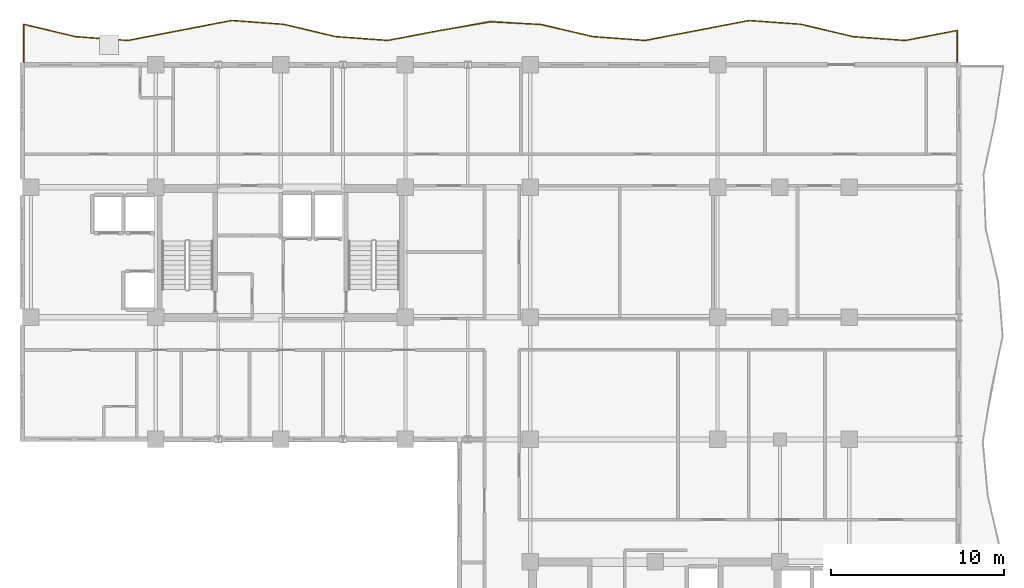
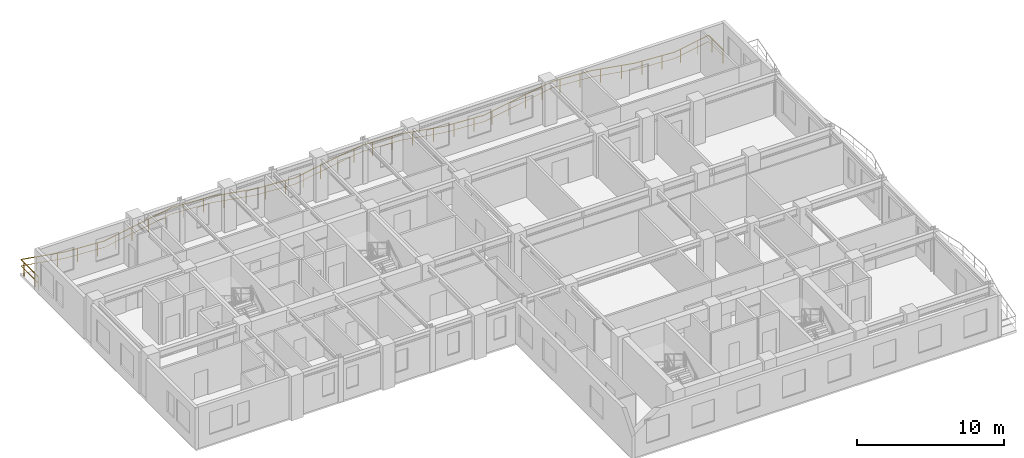
# One storey, part 13 of 13: 1 railing.
"""IFC4 building model written with IfcOpenShell, lengths in metres."""

from ifc_helpers import new_model, si_unit, direction, frame, origin, origin_2d, place, context, subcontext, project, spatial, rectangle, extrude, material, type_object, element, save


model = new_model("IFC4")

# Units and contexts
model_context = context("Model", 3, precision=1e-05, world=origin(), true_north=direction((0.0, 1.0)))
body_context = subcontext(model_context, "Body", "Model", "MODEL_VIEW")
ifc_project = project(units=[si_unit("LENGTHUNIT", "METRE"), si_unit("AREAUNIT", "SQUARE_METRE"), si_unit("VOLUMEUNIT", "CUBIC_METRE"), si_unit("PLANEANGLEUNIT", "RADIAN"), si_unit("MASSUNIT", "GRAM", prefix="KILO")], contexts=[model_context])

# Site, building, storey
site_placement = place(None, origin())
site = spatial("IfcSite", under=ifc_project, at=site_placement, CompositionType="ELEMENT")
building_placement = place(site_placement, origin())
building = spatial("IfcBuilding", under=site, at=building_placement, Name="Kaliganga Portal Commons", CompositionType="ELEMENT")
storey_placement = place(building_placement, frame((0.0, 0.0, 209.199951171875)))
storey = spatial("IfcBuildingStorey", under=building, at=storey_placement, Name="L53", CompositionType="ELEMENT", Elevation=209.199951171875)

# Railing
ifc_material = material(Name="Laminated Safety Glass and Stainless Steel 316", Category="steel")
railing_type = type_object("IfcRailingType", Name="RLG-BAL-1150", PredefinedType="BALUSTRADE", material=ifc_material)
railing_placement = place(storey_placement, frame((60.6201171875, 43.205078125, 0.0)))
element("IfcRailing", 1, at=railing_placement, inside=storey, type_object=railing_type, Name="Balcony Guardrail L53 balc_north", PredefinedType="BALUSTRADE", context=body_context, shape_type="SweptSolid", body=[
    extrude(rectangle(XDim=0.048095703125, YDim=0.048095703125, at=origin_2d()), frame((0.0, 0.0, 1.1259765625), z_axis=(0.0, 1.0, 0.0), x_axis=(-1.0, 0.0, 0.0)), (0.0, 0.0, 1.0), 1.9853515625),
    extrude(rectangle(XDim=0.028076171875, YDim=0.028076171875, at=origin_2d()), frame((0.0, 0.0, 0.597900390625), z_axis=(0.0, 1.0, 0.0), x_axis=(-1.0, 0.0, 0.0)), (0.0, 0.0, 1.0), 1.9853515625),
    extrude(rectangle(XDim=0.048095703125, YDim=0.048095703125, at=origin_2d()), frame((0.0, 1.9853515625, 1.1259765625), z_axis=(-0.981977935952, -0.1889955907, 0.0), x_axis=(0.1889955907, -0.981977935952, 0.0)), (0.0, 0.0, 1.0), 3.05517578125),
    extrude(rectangle(XDim=0.028076171875, YDim=0.028076171875, at=origin_2d()), frame((0.0, 1.9853515625, 0.597900390625), z_axis=(-0.981977935952, -0.1889955907, 0.0), x_axis=(0.1889955907, -0.981977935952, 0.0)), (0.0, 0.0, 1.0), 3.05517578125),
    extrude(rectangle(XDim=0.048095703125, YDim=0.048095703125, at=origin_2d()), frame((-3.0, 1.407958984375, 1.1259765625), z_axis=(-0.99731076678, 0.07328870625, 0.0), x_axis=(-0.07328870625, -0.99731076678, 0.0)), (0.0, 0.0, 1.0), 3.008056640625),
    extrude(rectangle(XDim=0.028076171875, YDim=0.028076171875, at=origin_2d()), frame((-3.0, 1.407958984375, 0.597900390625), z_axis=(-0.99731076678, 0.07328870625, 0.0), x_axis=(-0.07328870625, -0.99731076678, 0.0)), (0.0, 0.0, 1.0), 3.008056640625),
    extrude(rectangle(XDim=0.048095703125, YDim=0.048095703125, at=origin_2d()), frame((-6.0, 1.62841796875, 1.1259765625), z_axis=(-0.972908063116, 0.231192345728, 0.0), x_axis=(-0.231192345728, -0.972908063116, 0.0)), (0.0, 0.0, 1.0), 3.08349609375),
    extrude(rectangle(XDim=0.028076171875, YDim=0.028076171875, at=origin_2d()), frame((-6.0, 1.62841796875, 0.597900390625), z_axis=(-0.972908063116, 0.231192345728, 0.0), x_axis=(-0.231192345728, -0.972908063116, 0.0)), (0.0, 0.0, 1.0), 3.08349609375),
    extrude(rectangle(XDim=0.048095703125, YDim=0.048095703125, at=origin_2d()), frame((-9.0, 2.34130859375, 1.1259765625), z_axis=(-0.997328534337, 0.073046523511, 0.0), x_axis=(-0.073046523511, -0.997328534337, 0.0)), (0.0, 0.0, 1.0), 3.008056640625),
    extrude(rectangle(XDim=0.028076171875, YDim=0.028076171875, at=origin_2d()), frame((-9.0, 2.34130859375, 0.597900390625), z_axis=(-0.997328534337, 0.073046523511, 0.0), x_axis=(-0.073046523511, -0.997328534337, 0.0)), (0.0, 0.0, 1.0), 3.008056640625),
    extrude(rectangle(XDim=0.048095703125, YDim=0.048095703125, at=origin_2d()), frame((-12.0, 2.56103515625, 1.1259765625), z_axis=(-0.982037215628, -0.188687326343, 0.0), x_axis=(0.188687326343, -0.982037215628, 0.0)), (0.0, 0.0, 1.0), 3.054931640625),
    extrude(rectangle(XDim=0.028076171875, YDim=0.028076171875, at=origin_2d()), frame((-12.0, 2.56103515625, 0.597900390625), z_axis=(-0.982037215628, -0.188687326343, 0.0), x_axis=(0.188687326343, -0.982037215628, 0.0)), (0.0, 0.0, 1.0), 3.054931640625),
    extrude(rectangle(XDim=0.048095703125, YDim=0.048095703125, at=origin_2d()), frame((-15.0, 1.984619140625, 1.1259765625), z_axis=(-0.982140739342, -0.188147729526, 0.0), x_axis=(0.188147729526, -0.982140739342, 0.0)), (0.0, 0.0, 1.0), 3.054443359375),
    extrude(rectangle(XDim=0.028076171875, YDim=0.028076171875, at=origin_2d()), frame((-15.0, 1.984619140625, 0.597900390625), z_axis=(-0.982140739342, -0.188147729526, 0.0), x_axis=(0.188147729526, -0.982140739342, 0.0)), (0.0, 0.0, 1.0), 3.054443359375),
    extrude(rectangle(XDim=0.048095703125, YDim=0.048095703125, at=origin_2d()), frame((-18.0, 1.409912109375, 1.1259765625), z_axis=(-0.997322618282, 0.073127252529, 0.0), x_axis=(-0.073127252529, -0.997322618282, 0.0)), (0.0, 0.0, 1.0), 3.008056640625),
    extrude(rectangle(XDim=0.028076171875, YDim=0.028076171875, at=origin_2d()), frame((-18.0, 1.409912109375, 0.597900390625), z_axis=(-0.997322618282, 0.073127252529, 0.0), x_axis=(-0.073127252529, -0.997322618282, 0.0)), (0.0, 0.0, 1.0), 3.008056640625),
    extrude(rectangle(XDim=0.048095703125, YDim=0.048095703125, at=origin_2d()), frame((-21.0, 1.6298828125, 1.1259765625), z_axis=(-0.973894403738, 0.22700152063, 0.0), x_axis=(-0.22700152063, -0.973894403738, 0.0)), (0.0, 0.0, 1.0), 3.0791015625),
    extrude(rectangle(XDim=0.028076171875, YDim=0.028076171875, at=origin_2d()), frame((-21.0, 1.6298828125, 0.597900390625), z_axis=(-0.973894403738, 0.22700152063, 0.0), x_axis=(-0.22700152063, -0.973894403738, 0.0)), (0.0, 0.0, 1.0), 3.0791015625),
    extrude(rectangle(XDim=0.048095703125, YDim=0.048095703125, at=origin_2d()), frame((-23.998779296875, 2.328857421875, 1.1259765625), z_axis=(-0.998572745545, 0.053408537285, 0.0), x_axis=(-0.053408537285, -0.998572745545, 0.0)), (0.0, 0.0, 1.0), 2.925537109375),
    extrude(rectangle(XDim=0.028076171875, YDim=0.028076171875, at=origin_2d()), frame((-23.998779296875, 2.328857421875, 0.597900390625), z_axis=(-0.998572745545, 0.053408537285, 0.0), x_axis=(-0.053408537285, -0.998572745545, 0.0)), (0.0, 0.0, 1.0), 2.925537109375),
    extrude(rectangle(XDim=0.048095703125, YDim=0.048095703125, at=origin_2d()), frame((-26.920166015625, 2.485107421875, 1.1259765625), z_axis=(-0.985380574295, -0.170367613715, 0.0), x_axis=(0.170367613715, -0.985380574295, 0.0)), (0.0, 0.0, 1.0), 2.96337890625),
    extrude(rectangle(XDim=0.028076171875, YDim=0.028076171875, at=origin_2d()), frame((-26.920166015625, 2.485107421875, 0.597900390625), z_axis=(-0.985380574295, -0.170367613715, 0.0), x_axis=(0.170367613715, -0.985380574295, 0.0)), (0.0, 0.0, 1.0), 2.96337890625),
    extrude(rectangle(XDim=0.048095703125, YDim=0.048095703125, at=origin_2d()), frame((-29.84033203125, 1.980224609375, 1.1259765625), z_axis=(-0.98250822182, -0.186219209686, 0.0), x_axis=(0.186219209686, -0.98250822182, 0.0)), (0.0, 0.0, 1.0), 3.053466796875),
    extrude(rectangle(XDim=0.028076171875, YDim=0.028076171875, at=origin_2d()), frame((-29.84033203125, 1.980224609375, 0.597900390625), z_axis=(-0.98250822182, -0.186219209686, 0.0), x_axis=(0.186219209686, -0.98250822182, 0.0)), (0.0, 0.0, 1.0), 3.053466796875),
    extrude(rectangle(XDim=0.048095703125, YDim=0.048095703125, at=origin_2d()), frame((-32.84033203125, 1.41162109375, 1.1259765625), z_axis=(-0.99738106331, 0.072325753024, 0.0), x_axis=(-0.072325753024, -0.99738106331, 0.0)), (0.0, 0.0, 1.0), 3.007568359375),
    extrude(rectangle(XDim=0.028076171875, YDim=0.028076171875, at=origin_2d()), frame((-32.84033203125, 1.41162109375, 0.597900390625), z_axis=(-0.99738106331, 0.072325753024, 0.0), x_axis=(-0.072325753024, -0.99738106331, 0.0)), (0.0, 0.0, 1.0), 3.007568359375),
    extrude(rectangle(XDim=0.048095703125, YDim=0.048095703125, at=origin_2d()), frame((-35.840087890625, 1.629150390625, 1.1259765625), z_axis=(-0.973054580085, 0.230574899276, 0.0), x_axis=(-0.230574899276, -0.973054580085, 0.0)), (0.0, 0.0, 1.0), 3.083251953125),
    extrude(rectangle(XDim=0.028076171875, YDim=0.028076171875, at=origin_2d()), frame((-35.840087890625, 1.629150390625, 0.597900390625), z_axis=(-0.973054580085, 0.230574899276, 0.0), x_axis=(-0.230574899276, -0.973054580085, 0.0)), (0.0, 0.0, 1.0), 3.083251953125),
    extrude(rectangle(XDim=0.048095703125, YDim=0.048095703125, at=origin_2d()), frame((-38.84033203125, 2.340087890625, 1.1259765625), z_axis=(-0.997298889424, 0.07345015421, 0.0), x_axis=(-0.07345015421, -0.997298889424, 0.0)), (0.0, 0.0, 1.0), 3.008056640625),
    extrude(rectangle(XDim=0.028076171875, YDim=0.028076171875, at=origin_2d()), frame((-38.84033203125, 2.340087890625, 0.597900390625), z_axis=(-0.997298889424, 0.07345015421, 0.0), x_axis=(-0.07345015421, -0.997298889424, 0.0)), (0.0, 0.0, 1.0), 3.008056640625),
    extrude(rectangle(XDim=0.048095703125, YDim=0.048095703125, at=origin_2d()), frame((-41.84033203125, 2.56103515625, 1.1259765625), z_axis=(-0.982049178162, -0.188625055788, 0.0), x_axis=(0.188625055788, -0.982049178162, 0.0)), (0.0, 0.0, 1.0), 3.0546875),
    extrude(rectangle(XDim=0.028076171875, YDim=0.028076171875, at=origin_2d()), frame((-41.84033203125, 2.56103515625, 0.597900390625), z_axis=(-0.982049178162, -0.188625055788, 0.0), x_axis=(0.188625055788, -0.982049178162, 0.0)), (0.0, 0.0, 1.0), 3.0546875),
    extrude(rectangle(XDim=0.048095703125, YDim=0.048095703125, at=origin_2d()), frame((-44.840087890625, 1.98486328125, 1.1259765625), z_axis=(-0.98202240411, -0.188764397665, 0.0), x_axis=(0.188764397665, -0.98202240411, 0.0)), (0.0, 0.0, 1.0), 3.054931640625),
    extrude(rectangle(XDim=0.028076171875, YDim=0.028076171875, at=origin_2d()), frame((-44.840087890625, 1.98486328125, 0.597900390625), z_axis=(-0.98202240411, -0.188764397665, 0.0), x_axis=(0.188764397665, -0.98202240411, 0.0)), (0.0, 0.0, 1.0), 3.054931640625),
    extrude(rectangle(XDim=0.048095703125, YDim=0.048095703125, at=origin_2d()), frame((-47.840087890625, 1.408203125, 1.1259765625), z_axis=(-0.997316695763, 0.073207980109, 0.0), x_axis=(-0.073207980109, -0.997316695763, 0.0)), (0.0, 0.0, 1.0), 3.008056640625),
    extrude(rectangle(XDim=0.028076171875, YDim=0.028076171875, at=origin_2d()), frame((-47.840087890625, 1.408203125, 0.597900390625), z_axis=(-0.997316695763, 0.073207980109, 0.0), x_axis=(-0.073207980109, -0.997316695763, 0.0)), (0.0, 0.0, 1.0), 3.008056640625),
    extrude(rectangle(XDim=0.048095703125, YDim=0.048095703125, at=origin_2d()), frame((-50.840087890625, 1.62841796875, 1.1259765625), z_axis=(-0.972836786762, 0.231492086954, 0.0), x_axis=(-0.231492086954, -0.972836786762, 0.0)), (0.0, 0.0, 1.0), 3.083740234375),
    extrude(rectangle(XDim=0.028076171875, YDim=0.028076171875, at=origin_2d()), frame((-50.840087890625, 1.62841796875, 0.597900390625), z_axis=(-0.972836786762, 0.231492086954, 0.0), x_axis=(-0.231492086954, -0.972836786762, 0.0)), (0.0, 0.0, 1.0), 3.083740234375),
    extrude(rectangle(XDim=0.048095703125, YDim=0.048095703125, at=origin_2d()), frame((-53.840087890625, 2.34228515625, 1.1259765625), z_axis=(-0.000104231811, -0.999999994568, 0.0), x_axis=(0.999999994568, -0.000104231811, 0.0)), (0.0, 0.0, 1.0), 2.34228515625),
    extrude(rectangle(XDim=0.028076171875, YDim=0.028076171875, at=origin_2d()), frame((-53.840087890625, 2.34228515625, 0.597900390625), z_axis=(-0.000104231811, -0.999999994568, 0.0), x_axis=(0.999999994568, -0.000104231811, 0.0)), (0.0, 0.0, 1.0), 2.34228515625),
    extrude(rectangle(XDim=0.0419921875, YDim=0.0419921875, at=origin_2d()), origin(), (0.0, 0.0, 1.0), 1.101806640625),
    extrude(rectangle(XDim=0.0419921875, YDim=0.0419921875, at=origin_2d()), frame((0.0, 1.5, 0.0)), (0.0, 0.0, 1.0), 1.101806640625),
    extrude(rectangle(XDim=0.0419921875, YDim=0.0419921875, at=origin_2d()), frame((-0.996337890625, 1.793701171875, 0.0)), (0.0, 0.0, 1.0), 1.101806640625),
    extrude(rectangle(XDim=0.0419921875, YDim=0.0419921875, at=origin_2d()), frame((-2.46923828125, 1.510009765625, 0.0)), (0.0, 0.0, 1.0), 1.101806640625),
    extrude(rectangle(XDim=0.0419921875, YDim=0.0419921875, at=origin_2d()), frame((-3.95703125, 1.478271484375, 0.0)), (0.0, 0.0, 1.0), 1.101806640625),
    extrude(rectangle(XDim=0.0419921875, YDim=0.0419921875, at=origin_2d()), frame((-5.452880859375, 1.588134765625, 0.0)), (0.0, 0.0, 1.0), 1.101806640625),
    extrude(rectangle(XDim=0.0419921875, YDim=0.0419921875, at=origin_2d()), frame((-6.92578125, 1.848388671875, 0.0)), (0.0, 0.0, 1.0), 1.101806640625),
    extrude(rectangle(XDim=0.0419921875, YDim=0.0419921875, at=origin_2d()), frame((-8.385009765625, 2.195068359375, 0.0)), (0.0, 0.0, 1.0), 1.101806640625),
    extrude(rectangle(XDim=0.0419921875, YDim=0.0419921875, at=origin_2d()), frame((-9.86572265625, 2.40478515625, 0.0)), (0.0, 0.0, 1.0), 1.101806640625),
    extrude(rectangle(XDim=0.0419921875, YDim=0.0419921875, at=origin_2d()), frame((-11.361572265625, 2.51416015625, 0.0)), (0.0, 0.0, 1.0), 1.101806640625),
    extrude(rectangle(XDim=0.0419921875, YDim=0.0419921875, at=origin_2d()), frame((-12.844482421875, 2.398681640625, 0.0)), (0.0, 0.0, 1.0), 1.101806640625),
    extrude(rectangle(XDim=0.0419921875, YDim=0.0419921875, at=origin_2d()), frame((-14.317626953125, 2.11572265625, 0.0)), (0.0, 0.0, 1.0), 1.101806640625),
    extrude(rectangle(XDim=0.0419921875, YDim=0.0419921875, at=origin_2d()), frame((-15.790771484375, 1.833251953125, 0.0)), (0.0, 0.0, 1.0), 1.101806640625),
    extrude(rectangle(XDim=0.0419921875, YDim=0.0419921875, at=origin_2d()), frame((-17.263916015625, 1.551025390625, 0.0)), (0.0, 0.0, 1.0), 1.101806640625),
    extrude(rectangle(XDim=0.0419921875, YDim=0.0419921875, at=origin_2d()), frame((-18.74853515625, 1.46484375, 0.0)), (0.0, 0.0, 1.0), 1.101806640625),
    extrude(rectangle(XDim=0.0419921875, YDim=0.0419921875, at=origin_2d()), frame((-20.244384765625, 1.574462890625, 0.0)), (0.0, 0.0, 1.0), 1.101806640625),
    extrude(rectangle(XDim=0.0419921875, YDim=0.0419921875, at=origin_2d()), frame((-21.72314453125, 1.79833984375, 0.0)), (0.0, 0.0, 1.0), 1.101806640625),
    extrude(rectangle(XDim=0.0419921875, YDim=0.0419921875, at=origin_2d()), frame((-23.183837890625, 2.138916015625, 0.0)), (0.0, 0.0, 1.0), 1.101806640625),
    extrude(rectangle(XDim=0.0419921875, YDim=0.0419921875, at=origin_2d()), frame((-24.6611328125, 2.3642578125, 0.0)), (0.0, 0.0, 1.0), 1.101806640625),
    extrude(rectangle(XDim=0.0419921875, YDim=0.0419921875, at=origin_2d()), frame((-26.158935546875, 2.4443359375, 0.0)), (0.0, 0.0, 1.0), 1.101806640625),
    extrude(rectangle(XDim=0.0419921875, YDim=0.0419921875, at=origin_2d()), frame((-27.647216796875, 2.359375, 0.0)), (0.0, 0.0, 1.0), 1.101806640625),
    extrude(rectangle(XDim=0.0419921875, YDim=0.0419921875, at=origin_2d()), frame((-29.125244140625, 2.103759765625, 0.0)), (0.0, 0.0, 1.0), 1.101806640625),
    extrude(rectangle(XDim=0.0419921875, YDim=0.0419921875, at=origin_2d()), frame((-30.60107421875, 1.8359375, 0.0)), (0.0, 0.0, 1.0), 1.101806640625),
    extrude(rectangle(XDim=0.0419921875, YDim=0.0419921875, at=origin_2d()), frame((-32.07470703125, 1.556640625, 0.0)), (0.0, 0.0, 1.0), 1.101806640625),
    extrude(rectangle(XDim=0.0419921875, YDim=0.0419921875, at=origin_2d()), frame((-33.559326171875, 1.4638671875, 0.0)), (0.0, 0.0, 1.0), 1.101806640625),
    extrude(rectangle(XDim=0.0419921875, YDim=0.0419921875, at=origin_2d()), frame((-35.055419921875, 1.572265625, 0.0)), (0.0, 0.0, 1.0), 1.101806640625),
    extrude(rectangle(XDim=0.0419921875, YDim=0.0419921875, at=origin_2d()), frame((-36.5341796875, 1.793701171875, 0.0)), (0.0, 0.0, 1.0), 1.101806640625),
    extrude(rectangle(XDim=0.0419921875, YDim=0.0419921875, at=origin_2d()), frame((-37.99365234375, 2.139404296875, 0.0)), (0.0, 0.0, 1.0), 1.101806640625),
    extrude(rectangle(XDim=0.0419921875, YDim=0.0419921875, at=origin_2d()), frame((-39.468505859375, 2.38623046875, 0.0)), (0.0, 0.0, 1.0), 1.101806640625),
    extrude(rectangle(XDim=0.0419921875, YDim=0.0419921875, at=origin_2d()), frame((-40.96435546875, 2.49658203125, 0.0)), (0.0, 0.0, 1.0), 1.101806640625),
    extrude(rectangle(XDim=0.0419921875, YDim=0.0419921875, at=origin_2d()), frame((-42.450927734375, 2.44384765625, 0.0)), (0.0, 0.0, 1.0), 1.101806640625),
    extrude(rectangle(XDim=0.0419921875, YDim=0.0419921875, at=origin_2d()), frame((-43.924072265625, 2.160888671875, 0.0)), (0.0, 0.0, 1.0), 1.101806640625),
    extrude(rectangle(XDim=0.0419921875, YDim=0.0419921875, at=origin_2d()), frame((-45.39697265625, 1.877685546875, 0.0)), (0.0, 0.0, 1.0), 1.101806640625),
    extrude(rectangle(XDim=0.0419921875, YDim=0.0419921875, at=origin_2d()), frame((-46.8701171875, 1.5947265625, 0.0)), (0.0, 0.0, 1.0), 1.101806640625),
    extrude(rectangle(XDim=0.0419921875, YDim=0.0419921875, at=origin_2d()), frame((-48.350830078125, 1.44580078125, 0.0)), (0.0, 0.0, 1.0), 1.101806640625),
    extrude(rectangle(XDim=0.0419921875, YDim=0.0419921875, at=origin_2d()), frame((-49.846923828125, 1.555419921875, 0.0)), (0.0, 0.0, 1.0), 1.101806640625),
    extrude(rectangle(XDim=0.0419921875, YDim=0.0419921875, at=origin_2d()), frame((-51.33056640625, 1.7451171875, 0.0)), (0.0, 0.0, 1.0), 1.101806640625),
    extrude(rectangle(XDim=0.0419921875, YDim=0.0419921875, at=origin_2d()), frame((-52.789794921875, 2.09228515625, 0.0)), (0.0, 0.0, 1.0), 1.101806640625),
    extrude(rectangle(XDim=0.0419921875, YDim=0.0419921875, at=origin_2d()), frame((-53.840087890625, 1.921875, 0.0)), (0.0, 0.0, 1.0), 1.101806640625),
    extrude(rectangle(XDim=0.0419921875, YDim=0.0419921875, at=origin_2d()), frame((-53.84033203125, 0.421875, 0.0)), (0.0, 0.0, 1.0), 1.101806640625),
    extrude(rectangle(XDim=0.0419921875, YDim=0.0419921875, at=origin_2d()), frame((-53.84033203125, 0.0, 0.0)), (0.0, 0.0, 1.0), 1.101806640625),
])

save(model, "model.ifc")
